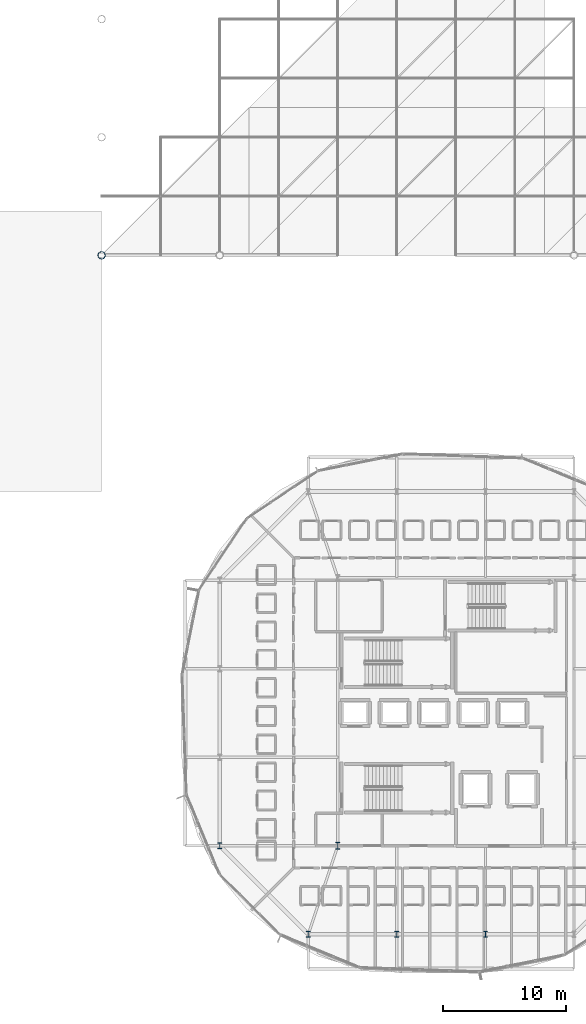
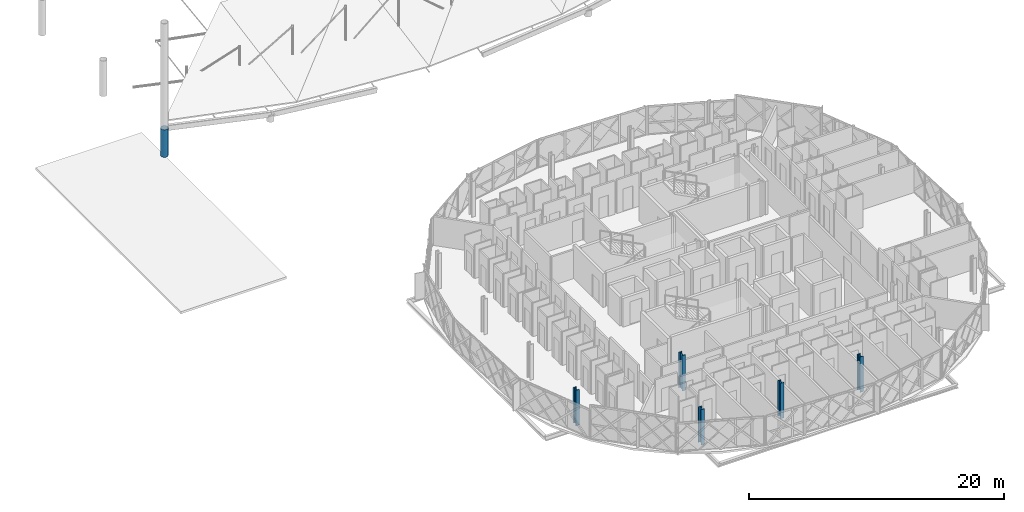
# One storey, part 1 of 40: 6 columns.
"""IFC4 building model written with IfcOpenShell, lengths in metres."""

from ifc_helpers import new_model, si_unit, direction, frame, origin, origin_2d, place, context, subcontext, project, spatial, hollow_circle, i_section, extrude, material, material_profile, profile_set, type_object, element, save


model = new_model("IFC4")

# Units and contexts
model_context = context("Model", 3, precision=1e-05, world=origin(), true_north=direction((0.0, 1.0)))
body_context = subcontext(model_context, "Body", "Model", "MODEL_VIEW")
ifc_project = project(units=[si_unit("LENGTHUNIT", "METRE"), si_unit("AREAUNIT", "SQUARE_METRE"), si_unit("VOLUMEUNIT", "CUBIC_METRE"), si_unit("PLANEANGLEUNIT", "RADIAN"), si_unit("MASSUNIT", "GRAM", prefix="KILO")], contexts=[model_context])

# Site, building, storey
site_placement = place(None, origin())
site = spatial("IfcSite", under=ifc_project, at=site_placement, CompositionType="ELEMENT")
building_placement = place(site_placement, origin())
building = spatial("IfcBuilding", under=site, at=building_placement, Name="Zevrakil Square Congress Hotel", CompositionType="ELEMENT")
storey_placement = place(building_placement, frame((0.0, 0.0, 18.10009765625)))
storey = spatial("IfcBuildingStorey", under=building, at=storey_placement, Name="L05", CompositionType="ELEMENT", Elevation=18.10009765625)

# Columns
ifc_material_1 = material(Name="Steel S355", Category="steel")
ifc_material_profile_1 = material_profile(ifc_material_1, hollow_circle(Radius=0.304931640625, WallThickness=0.02490234375, at=origin_2d()), Name="CHS 610x25")
ifc_profile_set_1 = profile_set([ifc_material_profile_1], Name="Steel S355")
column_type_1 = type_object("IfcColumnType", Name="COL-CHS610", PredefinedType="COLUMN", material=ifc_profile_set_1)
column_1_placement = place(storey_placement, frame((117.60009765625, 64.800048828125, 0.0), z_axis=(0.0, 0.0, 1.0), x_axis=(1.0, 0.0, 0.0)))
element("IfcColumn", 1, at=column_1_placement, inside=storey, type_object=column_type_1, Name="L05 Congress ring pedestal column CP-01", PredefinedType="COLUMN", context=body_context, shape_type="SweptSolid", body=[
    extrude(hollow_circle(Radius=0.304931640625, WallThickness=0.02490234375, at=origin_2d()), origin(), (0.0, 0.0, 1.0), 2.64990234375),
])
ifc_material_2 = material(Name="Steel S355", Category="steel")
ifc_material_profile_2 = material_profile(ifc_material_2, i_section(OverallWidth=0.306884765625, OverallDepth=0.47802734375, WebThickness=0.02099609375, FlangeThickness=0.0400390625, FilletRadius=0.027099609375, at=origin_2d()), Name="HEM 450")
ifc_profile_set_2 = profile_set([ifc_material_profile_2], Name="Steel S355")
column_type_2 = type_object("IfcColumnType", Name="COL-HEM450", PredefinedType="COLUMN", material=ifc_profile_set_2)
for number, where, z_axis, x_axis, name in (
    (2, (134.39990234375, 9.60009765625, 0.0), (0.0, 0.0, 1.0), (1.0, 0.0, 0.0), "L05 drum column DC01"),
    (3, (141.60009765625, 9.60009765625, 0.0), (0.0, 0.0, 1.0), (1.0, 0.0, 0.0), "L05 drum column DC02"),
    (4, (148.800048828125, 9.60009765625, 0.0), (0.0, 0.0, 1.0), (1.0, 0.0, 0.0), "L05 drum column DC03"),
    (5, (127.199951171875, 16.800048828125, 0.0), (0.0, 0.0, 1.0), (1.0, 0.0, 0.0), "L05 drum column DC16"),
):
    element("IfcColumn", number, at=place(storey_placement, frame(where, z_axis=z_axis, x_axis=x_axis)), inside=storey, type_object=column_type_2, Name=name, PredefinedType="COLUMN", context=body_context, shape_type="SweptSolid", body=[
        extrude(i_section(OverallWidth=0.306884765625, OverallDepth=0.47802734375, WebThickness=0.02099609375, FlangeThickness=0.0400390625, FilletRadius=0.027099609375, at=origin_2d()), origin(), (0.0, 0.0, 1.0), 3.39990234375),
    ])
ifc_material_3 = material(Name="Steel S355", Category="steel")
ifc_material_profile_3 = material_profile(ifc_material_3, i_section(OverallWidth=0.305908203125, OverallDepth=0.572021484375, WebThickness=0.02099609375, FlangeThickness=0.0400390625, FilletRadius=0.027099609375, at=origin_2d()), Name="HEM 550")
ifc_profile_set_3 = profile_set([ifc_material_profile_3], Name="Steel S355")
column_type_3 = type_object("IfcColumnType", Name="COL-HEM550", PredefinedType="COLUMN", material=ifc_profile_set_3)
column_2_placement = place(storey_placement, frame((136.800048828125, 16.800048828125, 0.0), z_axis=(0.0, 0.0, 1.0), x_axis=(1.0, 0.0, 0.0)))
element("IfcColumn", 6, at=column_2_placement, inside=storey, type_object=column_type_3, Name="L05 column C-206", PredefinedType="COLUMN", context=body_context, shape_type="SweptSolid", body=[
    extrude(i_section(OverallWidth=0.305908203125, OverallDepth=0.572021484375, WebThickness=0.02099609375, FlangeThickness=0.0400390625, FilletRadius=0.027099609375, at=origin_2d()), origin(), (0.0, 0.0, 1.0), 3.39990234375),
])

save(model, "model.ifc")
